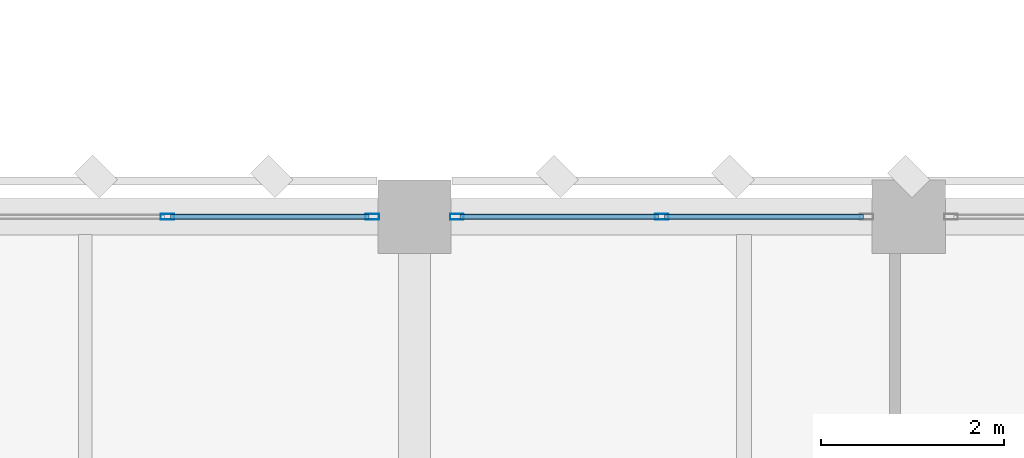
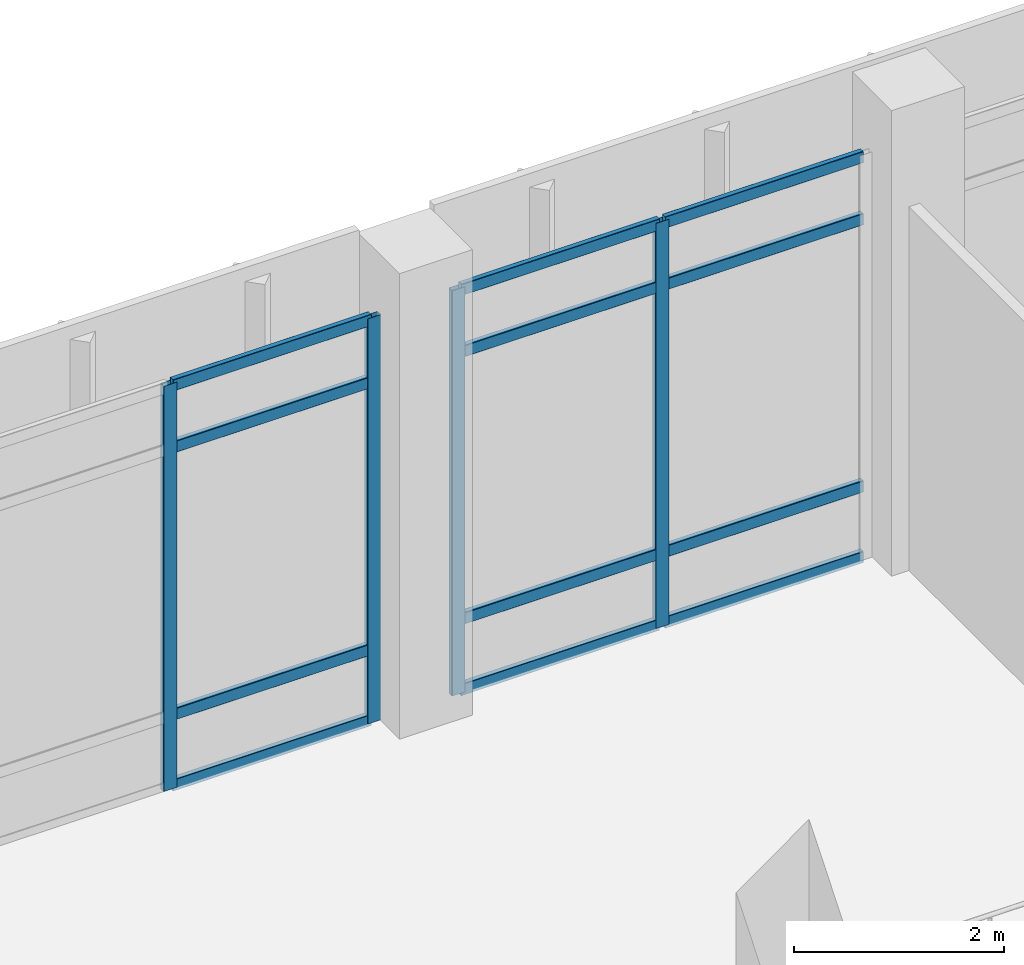
# One storey, part 28 of 180: 16 members, 2 elements without a shape of their own.
"""IFC4 building model written with IfcOpenShell, lengths in metres."""

from ifc_helpers import new_model, si_unit, direction, frame, origin, origin_2d, place, context, subcontext, project, spatial, hollow_rectangle, extrude, material, material_profile, profile_set, type_object, element, aggregate, save


model = new_model("IFC4")

# Units and contexts
model_context = context("Model", 3, precision=1e-05, world=origin(), true_north=direction((0.0, 1.0)))
body_context = subcontext(model_context, "Body", "Model", "MODEL_VIEW")
ifc_project = project(units=[si_unit("LENGTHUNIT", "METRE"), si_unit("AREAUNIT", "SQUARE_METRE"), si_unit("VOLUMEUNIT", "CUBIC_METRE"), si_unit("PLANEANGLEUNIT", "RADIAN"), si_unit("MASSUNIT", "GRAM", prefix="KILO")], contexts=[model_context])

# Site, building, storey
site_placement = place(None, origin())
site = spatial("IfcSite", under=ifc_project, at=site_placement, CompositionType="ELEMENT")
building_placement = place(site_placement, origin())
building = spatial("IfcBuilding", under=site, at=building_placement, Name="Lusvemor Sports Hall", CompositionType="ELEMENT")
storey_placement = place(building_placement, frame((0.0, 0.0, 5.39990234375)))
storey = spatial("IfcBuildingStorey", under=building, at=storey_placement, Name="L01", CompositionType="ELEMENT", Elevation=5.39990234375)

# Curtain wall, members
ifc_material_1 = material(Name="Thermally broken bronze-anodized aluminium", Category="aluminium")
curtain_wall_type = type_object("IfcCurtainWallType", Name="CW_COURT_C", PredefinedType="NOTDEFINED", material=ifc_material_1)
curtain_wall_1_placement = place(storey_placement, origin())
curtain_wall_1 = element("IfcCurtainWall", 1, at=curtain_wall_1_placement, inside=storey, type_object=curtain_wall_type, Name="Curtain Wall CW-V1N-L01-2-B", PredefinedType="NOTDEFINED")
ifc_material_2 = material(Name="Thermally broken bronze-anodized aluminium", Category="aluminium")
ifc_material_profile_1 = material_profile(ifc_material_2, hollow_rectangle(XDim=0.06494140625, YDim=0.14990234375, WallThickness=0.00390625, InnerFilletRadius=0.00390625, OuterFilletRadius=0.008056640625, at=origin_2d()), Name="CWMUL150x65x4")
ifc_profile_set_1 = profile_set([ifc_material_profile_1], Name="Thermally broken bronze-anodized aluminium")
member_type_1 = type_object("IfcMemberType", Name="CW_MUL_B", PredefinedType="MULLION", material=ifc_profile_set_1)
member_1_placement = place(storey_placement, frame((29.699951171875, 46.800048828125, 0.0), z_axis=(0.0, 0.0, 1.0), x_axis=(0.0, 1.0, 0.0)))
member_1 = element("IfcMember", 2, at=member_1_placement, type_object=member_type_1, Name="CW03 mullion 2", PredefinedType="MULLION", context=body_context, shape_type="SweptSolid", body=[
    extrude(hollow_rectangle(XDim=0.06494140625, YDim=0.14990234375, WallThickness=0.00390625, InnerFilletRadius=0.00390625, OuterFilletRadius=0.008056640625, at=origin_2d()), origin(), (0.0, 0.0, 1.0), 4.7001953125),
])
member_2_placement = place(storey_placement, frame((31.9375, 46.800048828125, 0.0), z_axis=(0.0, 0.0, 1.0), x_axis=(0.0, 1.0, 0.0)))
member_2 = element("IfcMember", 3, at=member_2_placement, type_object=member_type_1, Name="CW03 mullion 3", PredefinedType="MULLION", context=body_context, shape_type="SweptSolid", body=[
    extrude(hollow_rectangle(XDim=0.06494140625, YDim=0.14990234375, WallThickness=0.00390625, InnerFilletRadius=0.00390625, OuterFilletRadius=0.008056640625, at=origin_2d()), origin(), (0.0, 0.0, 1.0), 4.7001953125),
])

curtain_wall_2_placement = place(storey_placement, origin())
curtain_wall_2 = element("IfcCurtainWall", 4, at=curtain_wall_2_placement, inside=storey, type_object=curtain_wall_type, Name="Curtain Wall CW-V1N-L01-3-A", PredefinedType="NOTDEFINED")
member_3_placement = place(storey_placement, frame((32.862548828125, 46.800048828125, 0.0), z_axis=(0.0, 0.0, 1.0), x_axis=(0.0, 1.0, 0.0)))
member_3 = element("IfcMember", 5, at=member_3_placement, type_object=member_type_1, Name="CW03 mullion 1", PredefinedType="MULLION", context=body_context, shape_type="SweptSolid", body=[
    extrude(hollow_rectangle(XDim=0.06494140625, YDim=0.14990234375, WallThickness=0.00390625, InnerFilletRadius=0.00390625, OuterFilletRadius=0.008056640625, at=origin_2d()), origin(), (0.0, 0.0, 1.0), 4.7001953125),
])
member_4_placement = place(storey_placement, frame((35.10009765625, 46.800048828125, 0.0), z_axis=(0.0, 0.0, 1.0), x_axis=(0.0, 1.0, 0.0)))
member_4 = element("IfcMember", 6, at=member_4_placement, type_object=member_type_1, Name="CW03 mullion 2", PredefinedType="MULLION", context=body_context, shape_type="SweptSolid", body=[
    extrude(hollow_rectangle(XDim=0.06494140625, YDim=0.14990234375, WallThickness=0.00390625, InnerFilletRadius=0.00390625, OuterFilletRadius=0.008056640625, at=origin_2d()), origin(), (0.0, 0.0, 1.0), 4.7001953125),
])

# Member
ifc_material_3 = material(Name="Thermally broken bronze-anodized aluminium", Category="aluminium")
ifc_material_profile_2 = material_profile(ifc_material_3, hollow_rectangle(XDim=0.06005859375, YDim=0.135009765625, WallThickness=0.00390625, InnerFilletRadius=0.00390625, OuterFilletRadius=0.008056640625, at=origin_2d()), Name="CWTRN135x60x4")
ifc_profile_set_2 = profile_set([ifc_material_profile_2], Name="Thermally broken bronze-anodized aluminium")
member_type_2 = type_object("IfcMemberType", Name="CW_TRN_B", PredefinedType="USERDEFINED", material=ifc_profile_set_2)
member_5_placement = place(storey_placement, frame((29.732421875, 46.800048828125, 0.030029296875), z_axis=(1.0, 0.0, 0.0), x_axis=(0.0, 1.0, 0.0)))
member_5 = element("IfcMember", 7, at=member_5_placement, type_object=member_type_2, Name="CW03 transom 2.1", ObjectType="TRANSOM", PredefinedType="USERDEFINED", context=body_context, shape_type="SweptSolid", body=[
    extrude(hollow_rectangle(XDim=0.06005859375, YDim=0.135009765625, WallThickness=0.00390625, InnerFilletRadius=0.00390625, OuterFilletRadius=0.008056640625, at=origin_2d()), origin(), (0.0, 0.0, 1.0), 2.172607421875),
])

member_6_placement = place(storey_placement, frame((29.732421875, 46.800048828125, 0.85009765625), z_axis=(1.0, 0.0, 0.0), x_axis=(0.0, 1.0, 0.0)))
member_6 = element("IfcMember", 8, at=member_6_placement, type_object=member_type_2, Name="CW03 transom 2.2", ObjectType="TRANSOM", PredefinedType="USERDEFINED", context=body_context, shape_type="SweptSolid", body=[
    extrude(hollow_rectangle(XDim=0.06005859375, YDim=0.135009765625, WallThickness=0.00390625, InnerFilletRadius=0.00390625, OuterFilletRadius=0.008056640625, at=origin_2d()), origin(), (0.0, 0.0, 1.0), 2.172607421875),
])

member_7_placement = place(storey_placement, frame((29.732421875, 46.800048828125, 3.9501953125), z_axis=(1.0, 0.0, 0.0), x_axis=(0.0, 1.0, 0.0)))
member_7 = element("IfcMember", 9, at=member_7_placement, type_object=member_type_2, Name="CW03 transom 2.3", ObjectType="TRANSOM", PredefinedType="USERDEFINED", context=body_context, shape_type="SweptSolid", body=[
    extrude(hollow_rectangle(XDim=0.06005859375, YDim=0.135009765625, WallThickness=0.00390625, InnerFilletRadius=0.00390625, OuterFilletRadius=0.008056640625, at=origin_2d()), origin(), (0.0, 0.0, 1.0), 2.172607421875),
])

member_8_placement = place(storey_placement, frame((29.732421875, 46.800048828125, 4.670166015625), z_axis=(1.0, 0.0, 0.0), x_axis=(0.0, 1.0, 0.0)))
member_8 = element("IfcMember", 10, at=member_8_placement, type_object=member_type_2, Name="CW03 transom 2.4", ObjectType="TRANSOM", PredefinedType="USERDEFINED", context=body_context, shape_type="SweptSolid", body=[
    extrude(hollow_rectangle(XDim=0.06005859375, YDim=0.135009765625, WallThickness=0.00390625, InnerFilletRadius=0.00390625, OuterFilletRadius=0.008056640625, at=origin_2d()), origin(), (0.0, 0.0, 1.0), 2.172607421875),
])

aggregate(curtain_wall_1, [member_1, member_2, member_5, member_6, member_7, member_8])

member_9_placement = place(storey_placement, frame((32.89501953125, 46.800048828125, 0.030029296875), z_axis=(1.0, 0.0, 0.0), x_axis=(0.0, 1.0, 0.0)))
member_9 = element("IfcMember", 11, at=member_9_placement, type_object=member_type_2, Name="CW03 transom 1.1", ObjectType="TRANSOM", PredefinedType="USERDEFINED", context=body_context, shape_type="SweptSolid", body=[
    extrude(hollow_rectangle(XDim=0.06005859375, YDim=0.135009765625, WallThickness=0.00390625, InnerFilletRadius=0.00390625, OuterFilletRadius=0.008056640625, at=origin_2d()), origin(), (0.0, 0.0, 1.0), 2.17236328125),
])

member_10_placement = place(storey_placement, frame((32.89501953125, 46.800048828125, 0.85009765625), z_axis=(1.0, 0.0, 0.0), x_axis=(0.0, 1.0, 0.0)))
member_10 = element("IfcMember", 12, at=member_10_placement, type_object=member_type_2, Name="CW03 transom 1.2", ObjectType="TRANSOM", PredefinedType="USERDEFINED", context=body_context, shape_type="SweptSolid", body=[
    extrude(hollow_rectangle(XDim=0.06005859375, YDim=0.135009765625, WallThickness=0.00390625, InnerFilletRadius=0.00390625, OuterFilletRadius=0.008056640625, at=origin_2d()), origin(), (0.0, 0.0, 1.0), 2.17236328125),
])

member_11_placement = place(storey_placement, frame((32.89501953125, 46.800048828125, 3.9501953125), z_axis=(1.0, 0.0, 0.0), x_axis=(0.0, 1.0, 0.0)))
member_11 = element("IfcMember", 13, at=member_11_placement, type_object=member_type_2, Name="CW03 transom 1.3", ObjectType="TRANSOM", PredefinedType="USERDEFINED", context=body_context, shape_type="SweptSolid", body=[
    extrude(hollow_rectangle(XDim=0.06005859375, YDim=0.135009765625, WallThickness=0.00390625, InnerFilletRadius=0.00390625, OuterFilletRadius=0.008056640625, at=origin_2d()), origin(), (0.0, 0.0, 1.0), 2.17236328125),
])

member_12_placement = place(storey_placement, frame((32.89501953125, 46.800048828125, 4.670166015625), z_axis=(1.0, 0.0, 0.0), x_axis=(0.0, 1.0, 0.0)))
member_12 = element("IfcMember", 14, at=member_12_placement, type_object=member_type_2, Name="CW03 transom 1.4", ObjectType="TRANSOM", PredefinedType="USERDEFINED", context=body_context, shape_type="SweptSolid", body=[
    extrude(hollow_rectangle(XDim=0.06005859375, YDim=0.135009765625, WallThickness=0.00390625, InnerFilletRadius=0.00390625, OuterFilletRadius=0.008056640625, at=origin_2d()), origin(), (0.0, 0.0, 1.0), 2.17236328125),
])

member_13_placement = place(storey_placement, frame((35.132568359375, 46.800048828125, 0.030029296875), z_axis=(1.0, 0.0, 0.0), x_axis=(0.0, 1.0, 0.0)))
member_13 = element("IfcMember", 15, at=member_13_placement, type_object=member_type_2, Name="CW03 transom 2.1", ObjectType="TRANSOM", PredefinedType="USERDEFINED", context=body_context, shape_type="SweptSolid", body=[
    extrude(hollow_rectangle(XDim=0.06005859375, YDim=0.135009765625, WallThickness=0.00390625, InnerFilletRadius=0.00390625, OuterFilletRadius=0.008056640625, at=origin_2d()), origin(), (0.0, 0.0, 1.0), 2.17236328125),
])

member_14_placement = place(storey_placement, frame((35.132568359375, 46.800048828125, 0.85009765625), z_axis=(1.0, 0.0, 0.0), x_axis=(0.0, 1.0, 0.0)))
member_14 = element("IfcMember", 16, at=member_14_placement, type_object=member_type_2, Name="CW03 transom 2.2", ObjectType="TRANSOM", PredefinedType="USERDEFINED", context=body_context, shape_type="SweptSolid", body=[
    extrude(hollow_rectangle(XDim=0.06005859375, YDim=0.135009765625, WallThickness=0.00390625, InnerFilletRadius=0.00390625, OuterFilletRadius=0.008056640625, at=origin_2d()), origin(), (0.0, 0.0, 1.0), 2.17236328125),
])

member_15_placement = place(storey_placement, frame((35.132568359375, 46.800048828125, 3.9501953125), z_axis=(1.0, 0.0, 0.0), x_axis=(0.0, 1.0, 0.0)))
member_15 = element("IfcMember", 17, at=member_15_placement, type_object=member_type_2, Name="CW03 transom 2.3", ObjectType="TRANSOM", PredefinedType="USERDEFINED", context=body_context, shape_type="SweptSolid", body=[
    extrude(hollow_rectangle(XDim=0.06005859375, YDim=0.135009765625, WallThickness=0.00390625, InnerFilletRadius=0.00390625, OuterFilletRadius=0.008056640625, at=origin_2d()), origin(), (0.0, 0.0, 1.0), 2.17236328125),
])

member_16_placement = place(storey_placement, frame((35.132568359375, 46.800048828125, 4.670166015625), z_axis=(1.0, 0.0, 0.0), x_axis=(0.0, 1.0, 0.0)))
member_16 = element("IfcMember", 18, at=member_16_placement, type_object=member_type_2, Name="CW03 transom 2.4", ObjectType="TRANSOM", PredefinedType="USERDEFINED", context=body_context, shape_type="SweptSolid", body=[
    extrude(hollow_rectangle(XDim=0.06005859375, YDim=0.135009765625, WallThickness=0.00390625, InnerFilletRadius=0.00390625, OuterFilletRadius=0.008056640625, at=origin_2d()), origin(), (0.0, 0.0, 1.0), 2.17236328125),
])

aggregate(curtain_wall_2, [member_3, member_4, member_9, member_10, member_11, member_12, member_13, member_14, member_15, member_16])

save(model, "model.ifc")
